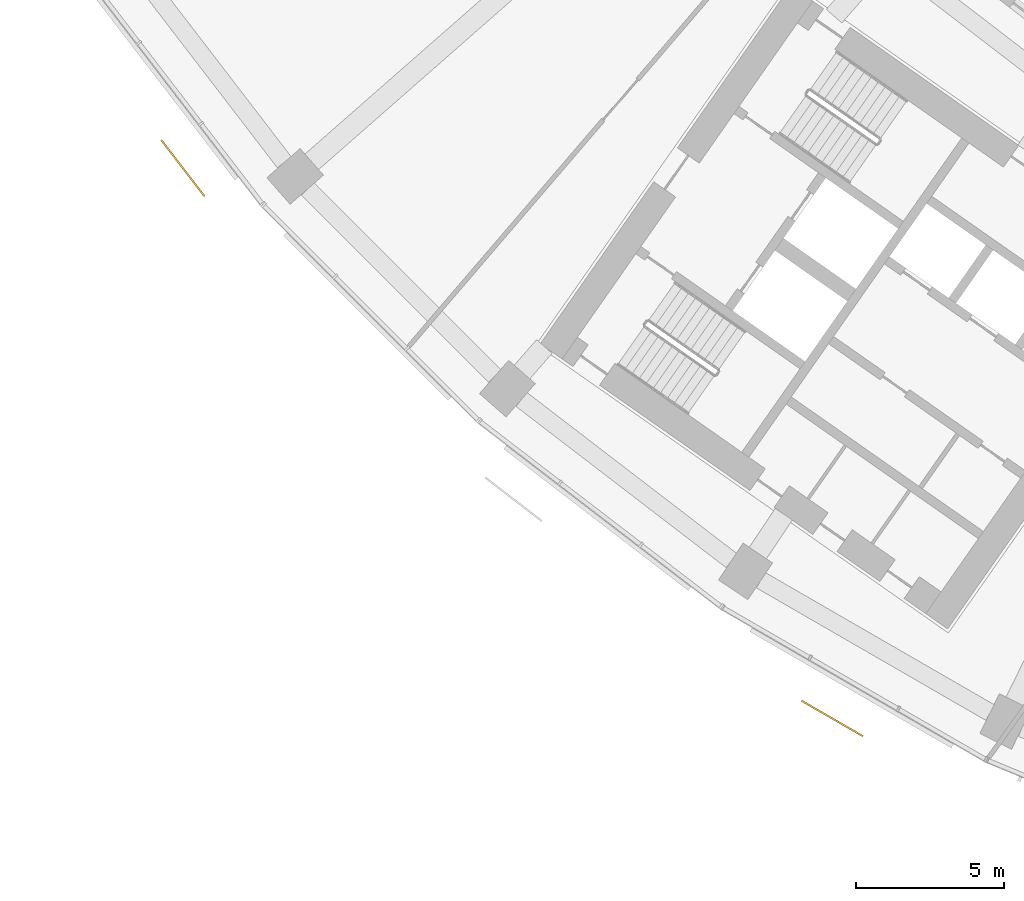
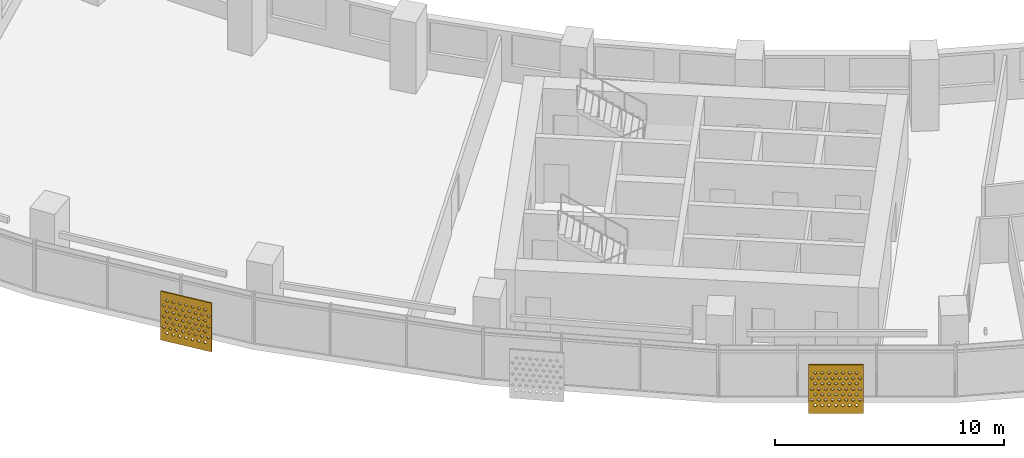
# One storey, part 23 of 29: 2 shading devices.
"""IFC4 building model written with IfcOpenShell, lengths in metres."""

from ifc_helpers import new_model, si_unit, direction, frame, origin, place, context, subcontext, project, spatial, polyline, outline, extrude, material, material_profile, profile_set, type_object, element, save


model = new_model("IFC4")

# Units and contexts
model_context = context("Model", 3, precision=1e-05, world=origin(), true_north=direction((0.0, 1.0)))
body_context = subcontext(model_context, "Body", "Model", "MODEL_VIEW")
ifc_project = project(units=[si_unit("LENGTHUNIT", "METRE"), si_unit("AREAUNIT", "SQUARE_METRE"), si_unit("VOLUMEUNIT", "CUBIC_METRE"), si_unit("PLANEANGLEUNIT", "RADIAN"), si_unit("MASSUNIT", "GRAM", prefix="KILO")], contexts=[model_context])

# Site, building, storey
site_placement = place(None, origin())
site = spatial("IfcSite", under=ifc_project, at=site_placement, CompositionType="ELEMENT")
building_placement = place(site_placement, origin())
building = spatial("IfcBuilding", under=site, at=building_placement, Name="Qamariyya Broadcast Tower", CompositionType="ELEMENT")
storey_placement = place(building_placement, frame((0.0, 0.0, 106.300048828125)))
storey = spatial("IfcBuildingStorey", under=building, at=storey_placement, Name="L23", CompositionType="ELEMENT", Elevation=106.300048828125)

# Shading devices
ifc_material = material(Name="Perforated glazed terracotta", Category="masonry")
ifc_material_profile = material_profile(ifc_material, outline(polyline([(-1.199951171875, -1.300048828125), (1.199951171875, -1.300048828125), (1.199951171875, 1.300048828125), (-1.199951171875, 1.300048828125), (-1.199951171875, -1.300048828125)]), holes=[polyline([(-0.81494140625, -0.86669921875), (-0.89990234375, -0.78173828125), (-0.985107421875, -0.86669921875), (-0.89990234375, -0.95166015625), (-0.81494140625, -0.86669921875)]), polyline([(-0.514892578125, -0.86669921875), (-0.60009765625, -0.78173828125), (-0.68505859375, -0.86669921875), (-0.60009765625, -0.95166015625), (-0.514892578125, -0.86669921875)]), polyline([(-0.215087890625, -0.86669921875), (-0.300048828125, -0.78173828125), (-0.385009765625, -0.86669921875), (-0.300048828125, -0.95166015625), (-0.215087890625, -0.86669921875)]), polyline([(0.0849609375, -0.86669921875), (0.0, -0.78173828125), (-0.0849609375, -0.86669921875), (0.0, -0.95166015625), (0.0849609375, -0.86669921875)]), polyline([(0.385009765625, -0.86669921875), (0.300048828125, -0.78173828125), (0.215087890625, -0.86669921875), (0.300048828125, -0.95166015625), (0.385009765625, -0.86669921875)]), polyline([(0.68505859375, -0.86669921875), (0.60009765625, -0.78173828125), (0.514892578125, -0.86669921875), (0.60009765625, -0.95166015625), (0.68505859375, -0.86669921875)]), polyline([(0.985107421875, -0.86669921875), (0.89990234375, -0.78173828125), (0.81494140625, -0.86669921875), (0.89990234375, -0.95166015625), (0.985107421875, -0.86669921875)]), polyline([(-0.965087890625, -0.577880859375), (-1.050048828125, -0.49267578125), (-1.135009765625, -0.577880859375), (-1.050048828125, -0.662841796875), (-0.965087890625, -0.577880859375)]), polyline([(-0.6650390625, -0.577880859375), (-0.75, -0.49267578125), (-0.8349609375, -0.577880859375), (-0.75, -0.662841796875), (-0.6650390625, -0.577880859375)]), polyline([(-0.364990234375, -0.577880859375), (-0.449951171875, -0.49267578125), (-0.534912109375, -0.577880859375), (-0.449951171875, -0.662841796875), (-0.364990234375, -0.577880859375)]), polyline([(-0.06494140625, -0.577880859375), (-0.14990234375, -0.49267578125), (-0.235107421875, -0.577880859375), (-0.14990234375, -0.662841796875), (-0.06494140625, -0.577880859375)]), polyline([(0.235107421875, -0.577880859375), (0.14990234375, -0.49267578125), (0.06494140625, -0.577880859375), (0.14990234375, -0.662841796875), (0.235107421875, -0.577880859375)]), polyline([(0.534912109375, -0.577880859375), (0.449951171875, -0.49267578125), (0.364990234375, -0.577880859375), (0.449951171875, -0.662841796875), (0.534912109375, -0.577880859375)]), polyline([(0.8349609375, -0.577880859375), (0.75, -0.49267578125), (0.6650390625, -0.577880859375), (0.75, -0.662841796875), (0.8349609375, -0.577880859375)]), polyline([(1.135009765625, -0.577880859375), (1.050048828125, -0.49267578125), (0.965087890625, -0.577880859375), (1.050048828125, -0.662841796875), (1.135009765625, -0.577880859375)]), polyline([(-0.81494140625, -0.288818359375), (-0.89990234375, -0.203857421875), (-0.985107421875, -0.288818359375), (-0.89990234375, -0.373779296875), (-0.81494140625, -0.288818359375)]), polyline([(-0.514892578125, -0.288818359375), (-0.60009765625, -0.203857421875), (-0.68505859375, -0.288818359375), (-0.60009765625, -0.373779296875), (-0.514892578125, -0.288818359375)]), polyline([(-0.215087890625, -0.288818359375), (-0.300048828125, -0.203857421875), (-0.385009765625, -0.288818359375), (-0.300048828125, -0.373779296875), (-0.215087890625, -0.288818359375)]), polyline([(0.0849609375, -0.288818359375), (0.0, -0.203857421875), (-0.0849609375, -0.288818359375), (0.0, -0.373779296875), (0.0849609375, -0.288818359375)]), polyline([(0.385009765625, -0.288818359375), (0.300048828125, -0.203857421875), (0.215087890625, -0.288818359375), (0.300048828125, -0.373779296875), (0.385009765625, -0.288818359375)]), polyline([(0.68505859375, -0.288818359375), (0.60009765625, -0.203857421875), (0.514892578125, -0.288818359375), (0.60009765625, -0.373779296875), (0.68505859375, -0.288818359375)]), polyline([(0.985107421875, -0.288818359375), (0.89990234375, -0.203857421875), (0.81494140625, -0.288818359375), (0.89990234375, -0.373779296875), (0.985107421875, -0.288818359375)]), polyline([(-0.965087890625, 0.0), (-1.050048828125, 0.0849609375), (-1.135009765625, 0.0), (-1.050048828125, -0.0849609375), (-0.965087890625, 0.0)]), polyline([(-0.6650390625, 0.0), (-0.75, 0.0849609375), (-0.8349609375, 0.0), (-0.75, -0.0849609375), (-0.6650390625, 0.0)]), polyline([(-0.364990234375, 0.0), (-0.449951171875, 0.0849609375), (-0.534912109375, 0.0), (-0.449951171875, -0.0849609375), (-0.364990234375, 0.0)]), polyline([(-0.06494140625, 0.0), (-0.14990234375, 0.0849609375), (-0.235107421875, 0.0), (-0.14990234375, -0.0849609375), (-0.06494140625, 0.0)]), polyline([(0.235107421875, 0.0), (0.14990234375, 0.0849609375), (0.06494140625, 0.0), (0.14990234375, -0.0849609375), (0.235107421875, 0.0)]), polyline([(0.534912109375, 0.0), (0.449951171875, 0.0849609375), (0.364990234375, 0.0), (0.449951171875, -0.0849609375), (0.534912109375, 0.0)]), polyline([(0.8349609375, 0.0), (0.75, 0.0849609375), (0.6650390625, 0.0), (0.75, -0.0849609375), (0.8349609375, 0.0)]), polyline([(1.135009765625, 0.0), (1.050048828125, 0.0849609375), (0.965087890625, 0.0), (1.050048828125, -0.0849609375), (1.135009765625, 0.0)]), polyline([(-0.81494140625, 0.288818359375), (-0.89990234375, 0.373779296875), (-0.985107421875, 0.288818359375), (-0.89990234375, 0.203857421875), (-0.81494140625, 0.288818359375)]), polyline([(-0.514892578125, 0.288818359375), (-0.60009765625, 0.373779296875), (-0.68505859375, 0.288818359375), (-0.60009765625, 0.203857421875), (-0.514892578125, 0.288818359375)]), polyline([(-0.215087890625, 0.288818359375), (-0.300048828125, 0.373779296875), (-0.385009765625, 0.288818359375), (-0.300048828125, 0.203857421875), (-0.215087890625, 0.288818359375)]), polyline([(0.0849609375, 0.288818359375), (0.0, 0.373779296875), (-0.0849609375, 0.288818359375), (0.0, 0.203857421875), (0.0849609375, 0.288818359375)]), polyline([(0.385009765625, 0.288818359375), (0.300048828125, 0.373779296875), (0.215087890625, 0.288818359375), (0.300048828125, 0.203857421875), (0.385009765625, 0.288818359375)]), polyline([(0.68505859375, 0.288818359375), (0.60009765625, 0.373779296875), (0.514892578125, 0.288818359375), (0.60009765625, 0.203857421875), (0.68505859375, 0.288818359375)]), polyline([(0.985107421875, 0.288818359375), (0.89990234375, 0.373779296875), (0.81494140625, 0.288818359375), (0.89990234375, 0.203857421875), (0.985107421875, 0.288818359375)]), polyline([(-0.965087890625, 0.577880859375), (-1.050048828125, 0.662841796875), (-1.135009765625, 0.577880859375), (-1.050048828125, 0.49267578125), (-0.965087890625, 0.577880859375)]), polyline([(-0.6650390625, 0.577880859375), (-0.75, 0.662841796875), (-0.8349609375, 0.577880859375), (-0.75, 0.49267578125), (-0.6650390625, 0.577880859375)]), polyline([(-0.364990234375, 0.577880859375), (-0.449951171875, 0.662841796875), (-0.534912109375, 0.577880859375), (-0.449951171875, 0.49267578125), (-0.364990234375, 0.577880859375)]), polyline([(-0.06494140625, 0.577880859375), (-0.14990234375, 0.662841796875), (-0.235107421875, 0.577880859375), (-0.14990234375, 0.49267578125), (-0.06494140625, 0.577880859375)]), polyline([(0.235107421875, 0.577880859375), (0.14990234375, 0.662841796875), (0.06494140625, 0.577880859375), (0.14990234375, 0.49267578125), (0.235107421875, 0.577880859375)]), polyline([(0.534912109375, 0.577880859375), (0.449951171875, 0.662841796875), (0.364990234375, 0.577880859375), (0.449951171875, 0.49267578125), (0.534912109375, 0.577880859375)]), polyline([(0.8349609375, 0.577880859375), (0.75, 0.662841796875), (0.6650390625, 0.577880859375), (0.75, 0.49267578125), (0.8349609375, 0.577880859375)]), polyline([(1.135009765625, 0.577880859375), (1.050048828125, 0.662841796875), (0.965087890625, 0.577880859375), (1.050048828125, 0.49267578125), (1.135009765625, 0.577880859375)]), polyline([(-0.81494140625, 0.86669921875), (-0.89990234375, 0.95166015625), (-0.985107421875, 0.86669921875), (-0.89990234375, 0.78173828125), (-0.81494140625, 0.86669921875)]), polyline([(-0.514892578125, 0.86669921875), (-0.60009765625, 0.95166015625), (-0.68505859375, 0.86669921875), (-0.60009765625, 0.78173828125), (-0.514892578125, 0.86669921875)]), polyline([(-0.215087890625, 0.86669921875), (-0.300048828125, 0.95166015625), (-0.385009765625, 0.86669921875), (-0.300048828125, 0.78173828125), (-0.215087890625, 0.86669921875)]), polyline([(0.0849609375, 0.86669921875), (0.0, 0.95166015625), (-0.0849609375, 0.86669921875), (0.0, 0.78173828125), (0.0849609375, 0.86669921875)]), polyline([(0.385009765625, 0.86669921875), (0.300048828125, 0.95166015625), (0.215087890625, 0.86669921875), (0.300048828125, 0.78173828125), (0.385009765625, 0.86669921875)]), polyline([(0.68505859375, 0.86669921875), (0.60009765625, 0.95166015625), (0.514892578125, 0.86669921875), (0.60009765625, 0.78173828125), (0.68505859375, 0.86669921875)]), polyline([(0.985107421875, 0.86669921875), (0.89990234375, 0.95166015625), (0.81494140625, 0.86669921875), (0.89990234375, 0.78173828125), (0.985107421875, 0.86669921875)])]))
ifc_profile_set = profile_set([ifc_material_profile], Name="Perforated glazed terracotta")
shading_device_type = type_object("IfcShadingDeviceType", Name="Perforated terracotta screen 2400 x 2600", PredefinedType="USERDEFINED", material=ifc_profile_set)
shading_device_1_placement = place(storey_placement, frame((-62.235595703125, -50.96484375, 1.349853515625), z_axis=(-0.792623989105, -0.60971076085, 0.0), x_axis=(0.60971076085, -0.792623989105, 0.0)))
element("IfcShadingDevice", 1, at=shading_device_1_placement, inside=storey, type_object=shading_device_type, Name="e-scr-L23-02-2", ObjectType="SCREEN", PredefinedType="USERDEFINED", context=body_context, shape_type="SweptSolid", body=[
    extrude(outline(polyline([(-1.199951171875, -1.300048828125), (1.199951171875, -1.300048828125), (1.199951171875, 1.300048828125), (-1.199951171875, 1.300048828125), (-1.199951171875, -1.300048828125)]), holes=[polyline([(-0.81494140625, -0.86669921875), (-0.89990234375, -0.78173828125), (-0.985107421875, -0.86669921875), (-0.89990234375, -0.95166015625), (-0.81494140625, -0.86669921875)]), polyline([(-0.514892578125, -0.86669921875), (-0.60009765625, -0.78173828125), (-0.68505859375, -0.86669921875), (-0.60009765625, -0.95166015625), (-0.514892578125, -0.86669921875)]), polyline([(-0.215087890625, -0.86669921875), (-0.300048828125, -0.78173828125), (-0.385009765625, -0.86669921875), (-0.300048828125, -0.95166015625), (-0.215087890625, -0.86669921875)]), polyline([(0.0849609375, -0.86669921875), (0.0, -0.78173828125), (-0.0849609375, -0.86669921875), (0.0, -0.95166015625), (0.0849609375, -0.86669921875)]), polyline([(0.385009765625, -0.86669921875), (0.300048828125, -0.78173828125), (0.215087890625, -0.86669921875), (0.300048828125, -0.95166015625), (0.385009765625, -0.86669921875)]), polyline([(0.68505859375, -0.86669921875), (0.60009765625, -0.78173828125), (0.514892578125, -0.86669921875), (0.60009765625, -0.95166015625), (0.68505859375, -0.86669921875)]), polyline([(0.985107421875, -0.86669921875), (0.89990234375, -0.78173828125), (0.81494140625, -0.86669921875), (0.89990234375, -0.95166015625), (0.985107421875, -0.86669921875)]), polyline([(-0.965087890625, -0.577880859375), (-1.050048828125, -0.49267578125), (-1.135009765625, -0.577880859375), (-1.050048828125, -0.662841796875), (-0.965087890625, -0.577880859375)]), polyline([(-0.6650390625, -0.577880859375), (-0.75, -0.49267578125), (-0.8349609375, -0.577880859375), (-0.75, -0.662841796875), (-0.6650390625, -0.577880859375)]), polyline([(-0.364990234375, -0.577880859375), (-0.449951171875, -0.49267578125), (-0.534912109375, -0.577880859375), (-0.449951171875, -0.662841796875), (-0.364990234375, -0.577880859375)]), polyline([(-0.06494140625, -0.577880859375), (-0.14990234375, -0.49267578125), (-0.235107421875, -0.577880859375), (-0.14990234375, -0.662841796875), (-0.06494140625, -0.577880859375)]), polyline([(0.235107421875, -0.577880859375), (0.14990234375, -0.49267578125), (0.06494140625, -0.577880859375), (0.14990234375, -0.662841796875), (0.235107421875, -0.577880859375)]), polyline([(0.534912109375, -0.577880859375), (0.449951171875, -0.49267578125), (0.364990234375, -0.577880859375), (0.449951171875, -0.662841796875), (0.534912109375, -0.577880859375)]), polyline([(0.8349609375, -0.577880859375), (0.75, -0.49267578125), (0.6650390625, -0.577880859375), (0.75, -0.662841796875), (0.8349609375, -0.577880859375)]), polyline([(1.135009765625, -0.577880859375), (1.050048828125, -0.49267578125), (0.965087890625, -0.577880859375), (1.050048828125, -0.662841796875), (1.135009765625, -0.577880859375)]), polyline([(-0.81494140625, -0.288818359375), (-0.89990234375, -0.203857421875), (-0.985107421875, -0.288818359375), (-0.89990234375, -0.373779296875), (-0.81494140625, -0.288818359375)]), polyline([(-0.514892578125, -0.288818359375), (-0.60009765625, -0.203857421875), (-0.68505859375, -0.288818359375), (-0.60009765625, -0.373779296875), (-0.514892578125, -0.288818359375)]), polyline([(-0.215087890625, -0.288818359375), (-0.300048828125, -0.203857421875), (-0.385009765625, -0.288818359375), (-0.300048828125, -0.373779296875), (-0.215087890625, -0.288818359375)]), polyline([(0.0849609375, -0.288818359375), (0.0, -0.203857421875), (-0.0849609375, -0.288818359375), (0.0, -0.373779296875), (0.0849609375, -0.288818359375)]), polyline([(0.385009765625, -0.288818359375), (0.300048828125, -0.203857421875), (0.215087890625, -0.288818359375), (0.300048828125, -0.373779296875), (0.385009765625, -0.288818359375)]), polyline([(0.68505859375, -0.288818359375), (0.60009765625, -0.203857421875), (0.514892578125, -0.288818359375), (0.60009765625, -0.373779296875), (0.68505859375, -0.288818359375)]), polyline([(0.985107421875, -0.288818359375), (0.89990234375, -0.203857421875), (0.81494140625, -0.288818359375), (0.89990234375, -0.373779296875), (0.985107421875, -0.288818359375)]), polyline([(-0.965087890625, 0.0), (-1.050048828125, 0.0849609375), (-1.135009765625, 0.0), (-1.050048828125, -0.0849609375), (-0.965087890625, 0.0)]), polyline([(-0.6650390625, 0.0), (-0.75, 0.0849609375), (-0.8349609375, 0.0), (-0.75, -0.0849609375), (-0.6650390625, 0.0)]), polyline([(-0.364990234375, 0.0), (-0.449951171875, 0.0849609375), (-0.534912109375, 0.0), (-0.449951171875, -0.0849609375), (-0.364990234375, 0.0)]), polyline([(-0.06494140625, 0.0), (-0.14990234375, 0.0849609375), (-0.235107421875, 0.0), (-0.14990234375, -0.0849609375), (-0.06494140625, 0.0)]), polyline([(0.235107421875, 0.0), (0.14990234375, 0.0849609375), (0.06494140625, 0.0), (0.14990234375, -0.0849609375), (0.235107421875, 0.0)]), polyline([(0.534912109375, 0.0), (0.449951171875, 0.0849609375), (0.364990234375, 0.0), (0.449951171875, -0.0849609375), (0.534912109375, 0.0)]), polyline([(0.8349609375, 0.0), (0.75, 0.0849609375), (0.6650390625, 0.0), (0.75, -0.0849609375), (0.8349609375, 0.0)]), polyline([(1.135009765625, 0.0), (1.050048828125, 0.0849609375), (0.965087890625, 0.0), (1.050048828125, -0.0849609375), (1.135009765625, 0.0)]), polyline([(-0.81494140625, 0.288818359375), (-0.89990234375, 0.373779296875), (-0.985107421875, 0.288818359375), (-0.89990234375, 0.203857421875), (-0.81494140625, 0.288818359375)]), polyline([(-0.514892578125, 0.288818359375), (-0.60009765625, 0.373779296875), (-0.68505859375, 0.288818359375), (-0.60009765625, 0.203857421875), (-0.514892578125, 0.288818359375)]), polyline([(-0.215087890625, 0.288818359375), (-0.300048828125, 0.373779296875), (-0.385009765625, 0.288818359375), (-0.300048828125, 0.203857421875), (-0.215087890625, 0.288818359375)]), polyline([(0.0849609375, 0.288818359375), (0.0, 0.373779296875), (-0.0849609375, 0.288818359375), (0.0, 0.203857421875), (0.0849609375, 0.288818359375)]), polyline([(0.385009765625, 0.288818359375), (0.300048828125, 0.373779296875), (0.215087890625, 0.288818359375), (0.300048828125, 0.203857421875), (0.385009765625, 0.288818359375)]), polyline([(0.68505859375, 0.288818359375), (0.60009765625, 0.373779296875), (0.514892578125, 0.288818359375), (0.60009765625, 0.203857421875), (0.68505859375, 0.288818359375)]), polyline([(0.985107421875, 0.288818359375), (0.89990234375, 0.373779296875), (0.81494140625, 0.288818359375), (0.89990234375, 0.203857421875), (0.985107421875, 0.288818359375)]), polyline([(-0.965087890625, 0.577880859375), (-1.050048828125, 0.662841796875), (-1.135009765625, 0.577880859375), (-1.050048828125, 0.49267578125), (-0.965087890625, 0.577880859375)]), polyline([(-0.6650390625, 0.577880859375), (-0.75, 0.662841796875), (-0.8349609375, 0.577880859375), (-0.75, 0.49267578125), (-0.6650390625, 0.577880859375)]), polyline([(-0.364990234375, 0.577880859375), (-0.449951171875, 0.662841796875), (-0.534912109375, 0.577880859375), (-0.449951171875, 0.49267578125), (-0.364990234375, 0.577880859375)]), polyline([(-0.06494140625, 0.577880859375), (-0.14990234375, 0.662841796875), (-0.235107421875, 0.577880859375), (-0.14990234375, 0.49267578125), (-0.06494140625, 0.577880859375)]), polyline([(0.235107421875, 0.577880859375), (0.14990234375, 0.662841796875), (0.06494140625, 0.577880859375), (0.14990234375, 0.49267578125), (0.235107421875, 0.577880859375)]), polyline([(0.534912109375, 0.577880859375), (0.449951171875, 0.662841796875), (0.364990234375, 0.577880859375), (0.449951171875, 0.49267578125), (0.534912109375, 0.577880859375)]), polyline([(0.8349609375, 0.577880859375), (0.75, 0.662841796875), (0.6650390625, 0.577880859375), (0.75, 0.49267578125), (0.8349609375, 0.577880859375)]), polyline([(1.135009765625, 0.577880859375), (1.050048828125, 0.662841796875), (0.965087890625, 0.577880859375), (1.050048828125, 0.49267578125), (1.135009765625, 0.577880859375)]), polyline([(-0.81494140625, 0.86669921875), (-0.89990234375, 0.95166015625), (-0.985107421875, 0.86669921875), (-0.89990234375, 0.78173828125), (-0.81494140625, 0.86669921875)]), polyline([(-0.514892578125, 0.86669921875), (-0.60009765625, 0.95166015625), (-0.68505859375, 0.86669921875), (-0.60009765625, 0.78173828125), (-0.514892578125, 0.86669921875)]), polyline([(-0.215087890625, 0.86669921875), (-0.300048828125, 0.95166015625), (-0.385009765625, 0.86669921875), (-0.300048828125, 0.78173828125), (-0.215087890625, 0.86669921875)]), polyline([(0.0849609375, 0.86669921875), (0.0, 0.95166015625), (-0.0849609375, 0.86669921875), (0.0, 0.78173828125), (0.0849609375, 0.86669921875)]), polyline([(0.385009765625, 0.86669921875), (0.300048828125, 0.95166015625), (0.215087890625, 0.86669921875), (0.300048828125, 0.78173828125), (0.385009765625, 0.86669921875)]), polyline([(0.68505859375, 0.86669921875), (0.60009765625, 0.95166015625), (0.514892578125, 0.86669921875), (0.60009765625, 0.78173828125), (0.68505859375, 0.86669921875)]), polyline([(0.985107421875, 0.86669921875), (0.89990234375, 0.95166015625), (0.81494140625, 0.86669921875), (0.89990234375, 0.78173828125), (0.985107421875, 0.86669921875)])]), origin(), (0.0, 0.0, 1.0), 0.06005859375),
])
shading_device_2_placement = place(storey_placement, frame((-40.240478515625, -69.605224609375, 1.349853515625), z_axis=(-0.500074377092, -0.865982457891, 0.0), x_axis=(0.865982457891, -0.500074377092, 0.0)))
element("IfcShadingDevice", 2, at=shading_device_2_placement, inside=storey, type_object=shading_device_type, Name="e-scr-L23-05-1", ObjectType="SCREEN", PredefinedType="USERDEFINED", context=body_context, shape_type="SweptSolid", body=[
    extrude(outline(polyline([(-1.199951171875, -1.300048828125), (1.199951171875, -1.300048828125), (1.199951171875, 1.300048828125), (-1.199951171875, 1.300048828125), (-1.199951171875, -1.300048828125)]), holes=[polyline([(-0.81494140625, -0.86669921875), (-0.89990234375, -0.78173828125), (-0.985107421875, -0.86669921875), (-0.89990234375, -0.95166015625), (-0.81494140625, -0.86669921875)]), polyline([(-0.514892578125, -0.86669921875), (-0.60009765625, -0.78173828125), (-0.68505859375, -0.86669921875), (-0.60009765625, -0.95166015625), (-0.514892578125, -0.86669921875)]), polyline([(-0.215087890625, -0.86669921875), (-0.300048828125, -0.78173828125), (-0.385009765625, -0.86669921875), (-0.300048828125, -0.95166015625), (-0.215087890625, -0.86669921875)]), polyline([(0.0849609375, -0.86669921875), (0.0, -0.78173828125), (-0.0849609375, -0.86669921875), (0.0, -0.95166015625), (0.0849609375, -0.86669921875)]), polyline([(0.385009765625, -0.86669921875), (0.300048828125, -0.78173828125), (0.215087890625, -0.86669921875), (0.300048828125, -0.95166015625), (0.385009765625, -0.86669921875)]), polyline([(0.68505859375, -0.86669921875), (0.60009765625, -0.78173828125), (0.514892578125, -0.86669921875), (0.60009765625, -0.95166015625), (0.68505859375, -0.86669921875)]), polyline([(0.985107421875, -0.86669921875), (0.89990234375, -0.78173828125), (0.81494140625, -0.86669921875), (0.89990234375, -0.95166015625), (0.985107421875, -0.86669921875)]), polyline([(-0.965087890625, -0.577880859375), (-1.050048828125, -0.49267578125), (-1.135009765625, -0.577880859375), (-1.050048828125, -0.662841796875), (-0.965087890625, -0.577880859375)]), polyline([(-0.6650390625, -0.577880859375), (-0.75, -0.49267578125), (-0.8349609375, -0.577880859375), (-0.75, -0.662841796875), (-0.6650390625, -0.577880859375)]), polyline([(-0.364990234375, -0.577880859375), (-0.449951171875, -0.49267578125), (-0.534912109375, -0.577880859375), (-0.449951171875, -0.662841796875), (-0.364990234375, -0.577880859375)]), polyline([(-0.06494140625, -0.577880859375), (-0.14990234375, -0.49267578125), (-0.235107421875, -0.577880859375), (-0.14990234375, -0.662841796875), (-0.06494140625, -0.577880859375)]), polyline([(0.235107421875, -0.577880859375), (0.14990234375, -0.49267578125), (0.06494140625, -0.577880859375), (0.14990234375, -0.662841796875), (0.235107421875, -0.577880859375)]), polyline([(0.534912109375, -0.577880859375), (0.449951171875, -0.49267578125), (0.364990234375, -0.577880859375), (0.449951171875, -0.662841796875), (0.534912109375, -0.577880859375)]), polyline([(0.8349609375, -0.577880859375), (0.75, -0.49267578125), (0.6650390625, -0.577880859375), (0.75, -0.662841796875), (0.8349609375, -0.577880859375)]), polyline([(1.135009765625, -0.577880859375), (1.050048828125, -0.49267578125), (0.965087890625, -0.577880859375), (1.050048828125, -0.662841796875), (1.135009765625, -0.577880859375)]), polyline([(-0.81494140625, -0.288818359375), (-0.89990234375, -0.203857421875), (-0.985107421875, -0.288818359375), (-0.89990234375, -0.373779296875), (-0.81494140625, -0.288818359375)]), polyline([(-0.514892578125, -0.288818359375), (-0.60009765625, -0.203857421875), (-0.68505859375, -0.288818359375), (-0.60009765625, -0.373779296875), (-0.514892578125, -0.288818359375)]), polyline([(-0.215087890625, -0.288818359375), (-0.300048828125, -0.203857421875), (-0.385009765625, -0.288818359375), (-0.300048828125, -0.373779296875), (-0.215087890625, -0.288818359375)]), polyline([(0.0849609375, -0.288818359375), (0.0, -0.203857421875), (-0.0849609375, -0.288818359375), (0.0, -0.373779296875), (0.0849609375, -0.288818359375)]), polyline([(0.385009765625, -0.288818359375), (0.300048828125, -0.203857421875), (0.215087890625, -0.288818359375), (0.300048828125, -0.373779296875), (0.385009765625, -0.288818359375)]), polyline([(0.68505859375, -0.288818359375), (0.60009765625, -0.203857421875), (0.514892578125, -0.288818359375), (0.60009765625, -0.373779296875), (0.68505859375, -0.288818359375)]), polyline([(0.985107421875, -0.288818359375), (0.89990234375, -0.203857421875), (0.81494140625, -0.288818359375), (0.89990234375, -0.373779296875), (0.985107421875, -0.288818359375)]), polyline([(-0.965087890625, 0.0), (-1.050048828125, 0.0849609375), (-1.135009765625, 0.0), (-1.050048828125, -0.0849609375), (-0.965087890625, 0.0)]), polyline([(-0.6650390625, 0.0), (-0.75, 0.0849609375), (-0.8349609375, 0.0), (-0.75, -0.0849609375), (-0.6650390625, 0.0)]), polyline([(-0.364990234375, 0.0), (-0.449951171875, 0.0849609375), (-0.534912109375, 0.0), (-0.449951171875, -0.0849609375), (-0.364990234375, 0.0)]), polyline([(-0.06494140625, 0.0), (-0.14990234375, 0.0849609375), (-0.235107421875, 0.0), (-0.14990234375, -0.0849609375), (-0.06494140625, 0.0)]), polyline([(0.235107421875, 0.0), (0.14990234375, 0.0849609375), (0.06494140625, 0.0), (0.14990234375, -0.0849609375), (0.235107421875, 0.0)]), polyline([(0.534912109375, 0.0), (0.449951171875, 0.0849609375), (0.364990234375, 0.0), (0.449951171875, -0.0849609375), (0.534912109375, 0.0)]), polyline([(0.8349609375, 0.0), (0.75, 0.0849609375), (0.6650390625, 0.0), (0.75, -0.0849609375), (0.8349609375, 0.0)]), polyline([(1.135009765625, 0.0), (1.050048828125, 0.0849609375), (0.965087890625, 0.0), (1.050048828125, -0.0849609375), (1.135009765625, 0.0)]), polyline([(-0.81494140625, 0.288818359375), (-0.89990234375, 0.373779296875), (-0.985107421875, 0.288818359375), (-0.89990234375, 0.203857421875), (-0.81494140625, 0.288818359375)]), polyline([(-0.514892578125, 0.288818359375), (-0.60009765625, 0.373779296875), (-0.68505859375, 0.288818359375), (-0.60009765625, 0.203857421875), (-0.514892578125, 0.288818359375)]), polyline([(-0.215087890625, 0.288818359375), (-0.300048828125, 0.373779296875), (-0.385009765625, 0.288818359375), (-0.300048828125, 0.203857421875), (-0.215087890625, 0.288818359375)]), polyline([(0.0849609375, 0.288818359375), (0.0, 0.373779296875), (-0.0849609375, 0.288818359375), (0.0, 0.203857421875), (0.0849609375, 0.288818359375)]), polyline([(0.385009765625, 0.288818359375), (0.300048828125, 0.373779296875), (0.215087890625, 0.288818359375), (0.300048828125, 0.203857421875), (0.385009765625, 0.288818359375)]), polyline([(0.68505859375, 0.288818359375), (0.60009765625, 0.373779296875), (0.514892578125, 0.288818359375), (0.60009765625, 0.203857421875), (0.68505859375, 0.288818359375)]), polyline([(0.985107421875, 0.288818359375), (0.89990234375, 0.373779296875), (0.81494140625, 0.288818359375), (0.89990234375, 0.203857421875), (0.985107421875, 0.288818359375)]), polyline([(-0.965087890625, 0.577880859375), (-1.050048828125, 0.662841796875), (-1.135009765625, 0.577880859375), (-1.050048828125, 0.49267578125), (-0.965087890625, 0.577880859375)]), polyline([(-0.6650390625, 0.577880859375), (-0.75, 0.662841796875), (-0.8349609375, 0.577880859375), (-0.75, 0.49267578125), (-0.6650390625, 0.577880859375)]), polyline([(-0.364990234375, 0.577880859375), (-0.449951171875, 0.662841796875), (-0.534912109375, 0.577880859375), (-0.449951171875, 0.49267578125), (-0.364990234375, 0.577880859375)]), polyline([(-0.06494140625, 0.577880859375), (-0.14990234375, 0.662841796875), (-0.235107421875, 0.577880859375), (-0.14990234375, 0.49267578125), (-0.06494140625, 0.577880859375)]), polyline([(0.235107421875, 0.577880859375), (0.14990234375, 0.662841796875), (0.06494140625, 0.577880859375), (0.14990234375, 0.49267578125), (0.235107421875, 0.577880859375)]), polyline([(0.534912109375, 0.577880859375), (0.449951171875, 0.662841796875), (0.364990234375, 0.577880859375), (0.449951171875, 0.49267578125), (0.534912109375, 0.577880859375)]), polyline([(0.8349609375, 0.577880859375), (0.75, 0.662841796875), (0.6650390625, 0.577880859375), (0.75, 0.49267578125), (0.8349609375, 0.577880859375)]), polyline([(1.135009765625, 0.577880859375), (1.050048828125, 0.662841796875), (0.965087890625, 0.577880859375), (1.050048828125, 0.49267578125), (1.135009765625, 0.577880859375)]), polyline([(-0.81494140625, 0.86669921875), (-0.89990234375, 0.95166015625), (-0.985107421875, 0.86669921875), (-0.89990234375, 0.78173828125), (-0.81494140625, 0.86669921875)]), polyline([(-0.514892578125, 0.86669921875), (-0.60009765625, 0.95166015625), (-0.68505859375, 0.86669921875), (-0.60009765625, 0.78173828125), (-0.514892578125, 0.86669921875)]), polyline([(-0.215087890625, 0.86669921875), (-0.300048828125, 0.95166015625), (-0.385009765625, 0.86669921875), (-0.300048828125, 0.78173828125), (-0.215087890625, 0.86669921875)]), polyline([(0.0849609375, 0.86669921875), (0.0, 0.95166015625), (-0.0849609375, 0.86669921875), (0.0, 0.78173828125), (0.0849609375, 0.86669921875)]), polyline([(0.385009765625, 0.86669921875), (0.300048828125, 0.95166015625), (0.215087890625, 0.86669921875), (0.300048828125, 0.78173828125), (0.385009765625, 0.86669921875)]), polyline([(0.68505859375, 0.86669921875), (0.60009765625, 0.95166015625), (0.514892578125, 0.86669921875), (0.60009765625, 0.78173828125), (0.68505859375, 0.86669921875)]), polyline([(0.985107421875, 0.86669921875), (0.89990234375, 0.95166015625), (0.81494140625, 0.86669921875), (0.89990234375, 0.78173828125), (0.985107421875, 0.86669921875)])]), origin(), (0.0, 0.0, 1.0), 0.06005859375),
])

save(model, "model.ifc")
